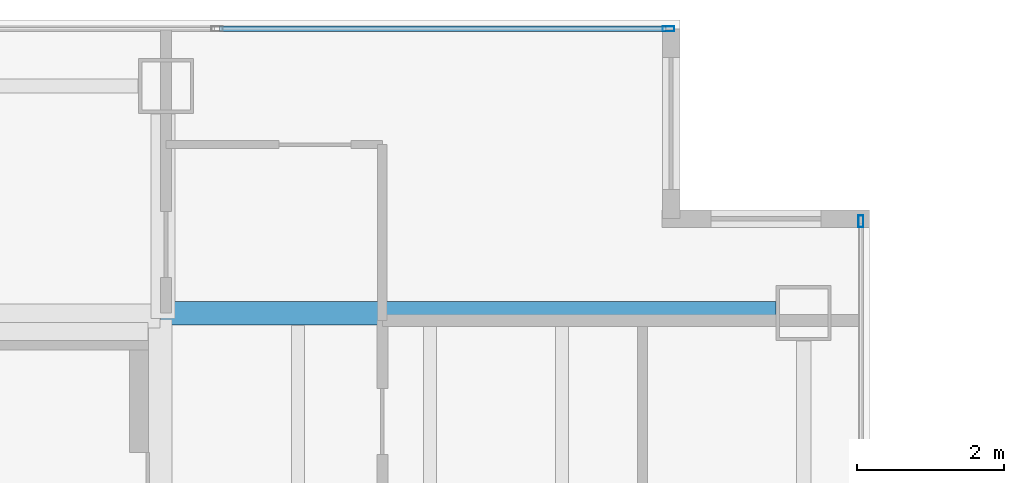
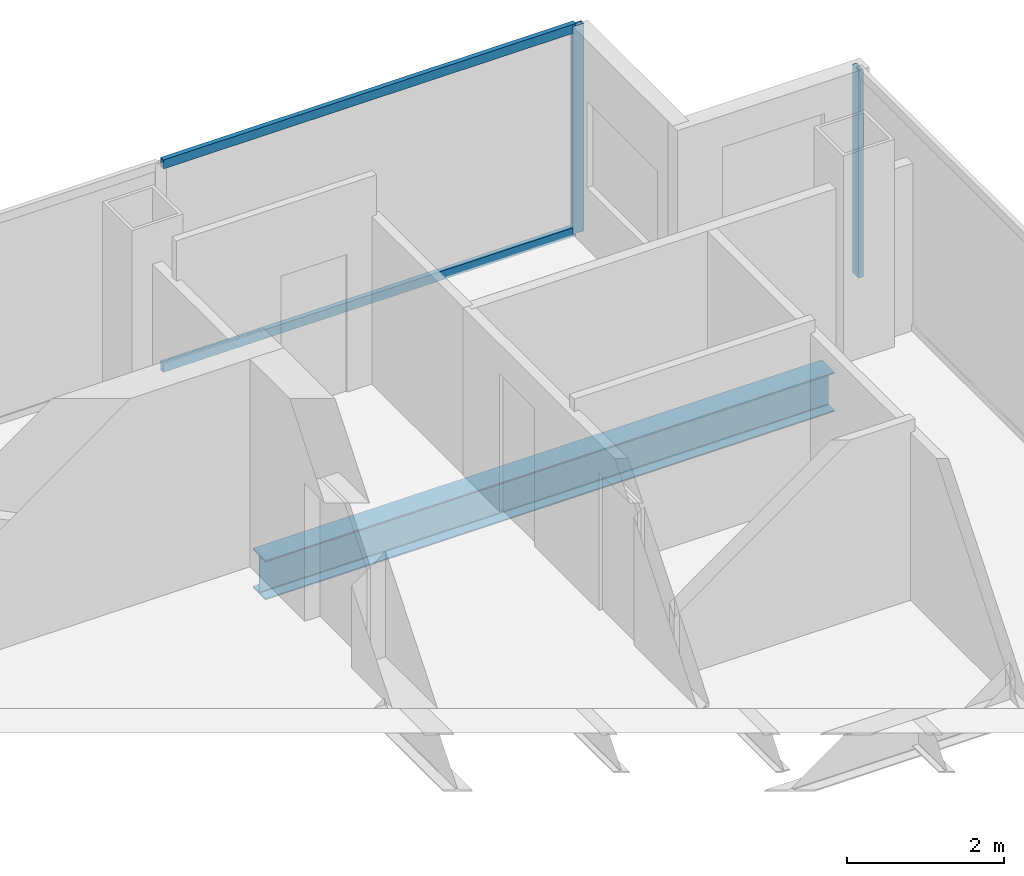
# One storey, part 18 of 23: 4 members, 1 beam, 2 elements without a shape of their own.
"""IFC4 building model written with IfcOpenShell, lengths in metres."""

from ifc_helpers import new_model, si_unit, direction, frame, origin, origin_2d, place, context, subcontext, project, spatial, hollow_rectangle, i_section, extrude, material, material_profile, profile_set, type_object, element, aggregate, save


model = new_model("IFC4")

# Units and contexts
model_context = context("Model", 3, precision=1e-05, world=origin(), true_north=direction((0.0, 1.0)))
body_context = subcontext(model_context, "Body", "Model", "MODEL_VIEW")
ifc_project = project(units=[si_unit("LENGTHUNIT", "METRE"), si_unit("AREAUNIT", "SQUARE_METRE"), si_unit("VOLUMEUNIT", "CUBIC_METRE"), si_unit("PLANEANGLEUNIT", "RADIAN"), si_unit("MASSUNIT", "GRAM", prefix="KILO")], contexts=[model_context])

# Site, building, storey
site_placement = place(None, origin())
site = spatial("IfcSite", under=ifc_project, at=site_placement, CompositionType="ELEMENT")
building_placement = place(site_placement, origin())
building = spatial("IfcBuilding", under=site, at=building_placement, Name="Cobrela Telecom Tower", CompositionType="ELEMENT")
storey_placement = place(building_placement, frame((0.0, 0.0, 204.75)))
storey = spatial("IfcBuildingStorey", under=building, at=storey_placement, Name="L52", CompositionType="ELEMENT", Elevation=204.75)

# Beam
ifc_material_1 = material(Name="Steel ASTM A992 Grade 50", Category="steel")
ifc_material_profile_1 = material_profile(ifc_material_1, i_section(OverallWidth=0.324951171875, OverallDepth=0.612060546875, WebThickness=0.0126953125, FlangeThickness=0.01904296875, FilletRadius=0.014892578125, at=origin_2d()), Name="W24X104")
ifc_profile_set_1 = profile_set([ifc_material_profile_1], Name="Steel ASTM A992 Grade 50")
beam_type = type_object("IfcBeamType", Name="BM-GIRD-07", PredefinedType="USERDEFINED", material=ifc_profile_set_1)
beam_placement = place(storey_placement, frame((14.324951171875, 36.0, -0.56591796875), z_axis=(1.0, 0.0, 0.0), x_axis=(0.0, 1.0, 0.0)))
element("IfcBeam", 1, at=beam_placement, inside=storey, type_object=beam_type, Name="L52 Primary Girder X22", ObjectType="GIRDER", PredefinedType="USERDEFINED", context=body_context, shape_type="SweptSolid", body=[
    extrude(i_section(OverallWidth=0.324951171875, OverallDepth=0.612060546875, WebThickness=0.0126953125, FlangeThickness=0.01904296875, FilletRadius=0.014892578125, at=origin_2d()), origin(), (0.0, 0.0, 1.0), 8.39501953125),
])

# Curtain wall, member
ifc_material_2 = material(Name="Anodized Bronze Aluminium 6063-T6", Category="aluminium")
curtain_wall_type = type_object("IfcCurtainWallType", Name="CW-SYS-OFF-LO", PredefinedType="USERDEFINED", material=ifc_material_2)
curtain_wall_1_placement = place(storey_placement, origin())
curtain_wall_1 = element("IfcCurtainWall", 2, at=curtain_wall_1_placement, inside=storey, type_object=curtain_wall_type, Name="L52 Unitised Bronze Curtain Wall 07", ObjectType="UNITISED CURTAIN WALL", PredefinedType="USERDEFINED")
ifc_material_profile_2 = material_profile(ifc_material_2, hollow_rectangle(XDim=0.070068359375, YDim=0.159912109375, WallThickness=0.00390625, at=origin_2d()), Name="ALU 70x160x4")
ifc_profile_set_2 = profile_set([ifc_material_profile_2], Name="Anodized Bronze Aluminium 6063-T6")
member_type_1 = type_object("IfcMemberType", Name="CW-SYS-OFF-LO-MUL", PredefinedType="MULLION", material=ifc_profile_set_2)
member_1_placement = place(storey_placement, frame((21.2548828125, 39.8798828125, 0.0), z_axis=(0.0, 0.0, 1.0), x_axis=(0.0, 1.0, 0.0)))
member_1 = element("IfcMember", 3, at=member_1_placement, type_object=member_type_1, Name="CW-OFF-LO mullion 4", PredefinedType="MULLION", context=body_context, shape_type="SweptSolid", body=[
    extrude(hollow_rectangle(XDim=0.070068359375, YDim=0.159912109375, WallThickness=0.00390625, at=origin_2d()), origin(), (0.0, 0.0, 1.0), 3.239990234375),
])

curtain_wall_2_placement = place(storey_placement, origin())
curtain_wall_2 = element("IfcCurtainWall", 4, at=curtain_wall_2_placement, inside=storey, type_object=curtain_wall_type, Name="L52 Unitised Bronze Curtain Wall 10", ObjectType="UNITISED CURTAIN WALL", PredefinedType="USERDEFINED")
member_2_placement = place(storey_placement, frame((23.8798828125, 37.2548828125, 0.0), z_axis=(0.0, 0.0, 1.0), x_axis=(1.0, 0.0, 0.0)))
member_2 = element("IfcMember", 5, at=member_2_placement, type_object=member_type_1, Name="CW-OFF-LO mullion 1", PredefinedType="MULLION", context=body_context, shape_type="SweptSolid", body=[
    extrude(hollow_rectangle(XDim=0.070068359375, YDim=0.159912109375, WallThickness=0.00390625, at=origin_2d()), origin(), (0.0, 0.0, 1.0), 3.239990234375),
])
aggregate(curtain_wall_2, [member_2])

# Member
ifc_material_profile_3 = material_profile(ifc_material_2, hollow_rectangle(XDim=0.070068359375, YDim=0.139892578125, WallThickness=0.00390625, at=origin_2d()), Name="ALU 70x140x4")
ifc_profile_set_3 = profile_set([ifc_material_profile_3], Name="Anodized Bronze Aluminium 6063-T6")
member_type_2 = type_object("IfcMemberType", Name="CW-SYS-OFF-LO-TRN", PredefinedType="USERDEFINED", material=ifc_profile_set_3)
member_3_placement = place(storey_placement, frame((15.131591796875, 39.8798828125, 0.034912109375), z_axis=(1.0, 0.0, 0.0), x_axis=(0.0, 1.0, 0.0)))
member_3 = element("IfcMember", 6, at=member_3_placement, type_object=member_type_2, Name="CW-OFF-LO transom 3.1", ObjectType="TRANSOM", PredefinedType="USERDEFINED", context=body_context, shape_type="SweptSolid", body=[
    extrude(hollow_rectangle(XDim=0.070068359375, YDim=0.139892578125, WallThickness=0.00390625, at=origin_2d()), origin(), (0.0, 0.0, 1.0), 6.08837890625),
])

member_4_placement = place(storey_placement, frame((15.131591796875, 39.8798828125, 3.205078125), z_axis=(1.0, 0.0, 0.0), x_axis=(0.0, 1.0, 0.0)))
member_4 = element("IfcMember", 7, at=member_4_placement, type_object=member_type_2, Name="CW-OFF-LO transom 3.2", ObjectType="TRANSOM", PredefinedType="USERDEFINED", context=body_context, shape_type="SweptSolid", body=[
    extrude(hollow_rectangle(XDim=0.070068359375, YDim=0.139892578125, WallThickness=0.00390625, at=origin_2d()), origin(), (0.0, 0.0, 1.0), 6.08837890625),
])

aggregate(curtain_wall_1, [member_1, member_3, member_4])

save(model, "model.ifc")
